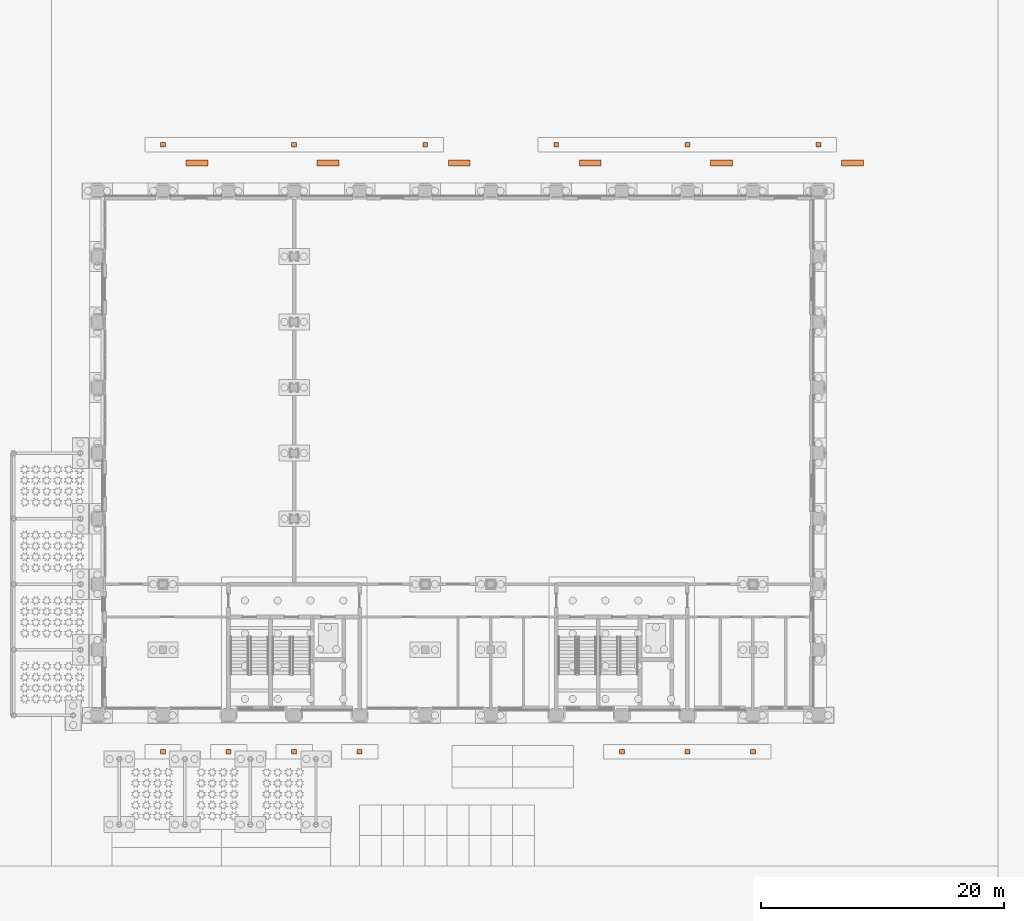
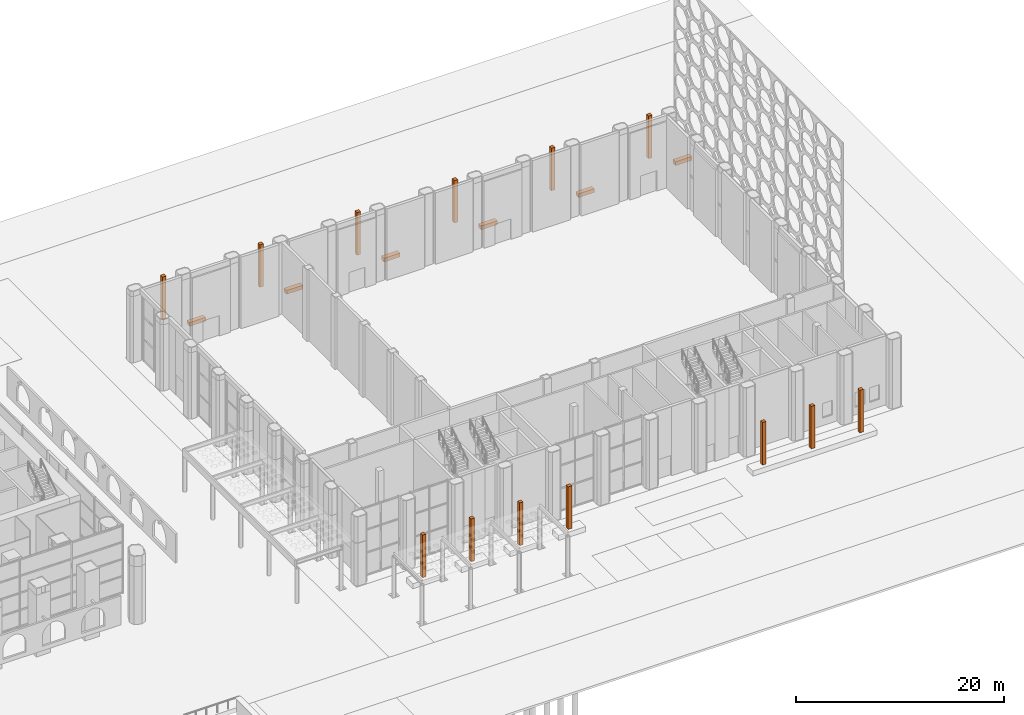
# One storey, part 54 of 54: 19 proxies.
"""IFC4 building model written with IfcOpenShell, lengths in metres."""

import ifcopenshell
import ifcopenshell.guid

model = None  # the IFC model being written
_history = None  # IfcOwnerHistory: only IFC2X3 demands one
_inside = {}  # id of a spatial element -> (the spatial element, [elements in it])
_under = {}  # id of a project, library or spatial element -> (it, [spatial elements below it])
_declared = {}  # id of a project -> (the project, [libraries it declares])
_typed = {}  # id of a type object -> (the type object, [elements of that type])
_made_of = {}  # id of a material, layer set ... -> (it, [elements and type objects made of it])


def new_model(schema):
    """Start an empty IFC model of exactly this schema.

    Asked for "IFC4X3", IfcOpenShell would pick the latest addendum, in which some entities
    have other attributes; the version numbers below select the first issue.
    IFC2X3 requires an IfcOwnerHistory on every rooted entity: one is made here for all.
    """
    global model, _history
    if schema == "IFC4X3":
        model = ifcopenshell.file(schema_version=(4, 3, 0, 0))
    else:
        model = ifcopenshell.file(schema=schema)
    _inside.clear()
    _under.clear()
    _declared.clear()
    _typed.clear()
    _made_of.clear()
    _history = None
    if model.schema == "IFC2X3":
        org = make("IfcOrganization", Name="unknown")
        user = make(
            "IfcPersonAndOrganization",
            ThePerson=make("IfcPerson", FamilyName="unknown"),
            TheOrganization=org,
        )
        app = make(
            "IfcApplication",
            ApplicationDeveloper=org,
            Version="unknown",
            ApplicationFullName="unknown",
            ApplicationIdentifier="unknown",
        )
        _history = make(
            "IfcOwnerHistory",
            OwningUser=user,
            OwningApplication=app,
            ChangeAction="ADDED",
            CreationDate=0,
        )
    return model


def make(cls, **values):
    """One entity of the class cls with the attributes given. An attribute that is None is left unset."""
    return model.create_entity(
        cls, **{name: value for name, value in values.items() if value is not None}
    )


def rooted(cls, **values):
    """An entity with a GlobalId (a new one), such as an element, a storey or a relation."""
    return make(cls, GlobalId=ifcopenshell.guid.new(), OwnerHistory=_history, **values)


def si_unit(unit_type, name, prefix=None):
    """IfcSIUnit, for example si_unit("LENGTHUNIT", "METRE", prefix="MILLI")."""
    return make("IfcSIUnit", UnitType=unit_type, Prefix=prefix, Name=name)


def assignment(units):
    """IfcUnitAssignment: the units of a project."""
    return None if units is None else make("IfcUnitAssignment", Units=units)


def point(xyz):
    """IfcCartesianPoint."""
    return None if xyz is None else make("IfcCartesianPoint", Coordinates=xyz)


def direction(xyz):
    """IfcDirection."""
    return None if xyz is None else make("IfcDirection", DirectionRatios=xyz)


def frame(location, z_axis=None, x_axis=None):
    """IfcAxis2Placement3D, a coordinate frame: its origin and axes. An axis left out is left unset."""
    return make(
        "IfcAxis2Placement3D",
        Location=point(location),
        Axis=direction(z_axis),
        RefDirection=direction(x_axis),
    )


def frame_2d(location, x_axis=None):
    """IfcAxis2Placement2D, a coordinate frame in the plane: its origin and x axis."""
    return make(
        "IfcAxis2Placement2D", Location=point(location), RefDirection=direction(x_axis)
    )


def origin():
    """The frame at (0, 0, 0) with its axes left unset."""
    return frame((0.0, 0.0, 0.0))


def origin_2d():
    """The frame at (0, 0) in the plane with its x axis left unset."""
    return frame_2d((0.0, 0.0))


def place(relative_to, where):
    """IfcLocalPlacement: puts the frame where relative to a parent placement (None: the world)."""
    return make(
        "IfcLocalPlacement", PlacementRelTo=relative_to, RelativePlacement=where
    )


def context(
    kind, dimensions, precision=None, world=None, true_north=None, identifier=None
):
    """IfcGeometricRepresentationContext, for example the 3D "Model" context."""
    return make(
        "IfcGeometricRepresentationContext",
        ContextIdentifier=identifier,
        ContextType=kind,
        CoordinateSpaceDimension=dimensions,
        Precision=precision,
        WorldCoordinateSystem=world,
        TrueNorth=true_north,
    )


def subcontext(parent, identifier, kind, view, scale=None):
    """IfcGeometricRepresentationSubContext, for example "Body" below "Model"."""
    return make(
        "IfcGeometricRepresentationSubContext",
        ContextIdentifier=identifier,
        ContextType=kind,
        ParentContext=parent,
        TargetScale=scale,
        TargetView=view,
    )


def project(units=None, contexts=None):
    """IfcProject with its units and contexts."""
    return rooted(
        "IfcProject",
        Name="project",
        RepresentationContexts=contexts,
        UnitsInContext=assignment(units),
    )


def spatial(cls, under=None, at=None, **own):
    """A site, building, storey or space (cls), placed at a placement, below another one or the project."""
    s = rooted(cls, ObjectPlacement=at, **own)
    if under is not None:
        _under.setdefault(under.id(), (under, []))[1].append(s)
    return s


def profile(cls, at=None, kind="AREA", **sizes):
    """A parametric profile (cls). Its sizes go by their IFC names, for example OverallWidth=200.0."""
    return make(cls, ProfileType=kind, Position=at, **sizes)


def rectangle(**sizes):
    """IfcRectangleProfileDef."""
    return profile("IfcRectangleProfileDef", **sizes)


def extrude(swept, where, along, depth):
    """IfcExtrudedAreaSolid: the profile swept, set in the frame where, extruded along a direction by depth."""
    return make(
        "IfcExtrudedAreaSolid",
        SweptArea=swept,
        Position=where,
        ExtrudedDirection=direction(along),
        Depth=depth,
    )


def shape(context_of_items, identifier, shape_type, items):
    """IfcShapeRepresentation: the items that make up one representation, for example the "Body"."""
    return make(
        "IfcShapeRepresentation",
        ContextOfItems=context_of_items,
        RepresentationIdentifier=identifier,
        RepresentationType=shape_type,
        Items=items,
    )


def made_of(thing, what):
    """Note that an element or type object is made of a material, layer set ...; save() writes the relation."""
    if what is not None:
        _made_of.setdefault(what.id(), (what, []))[1].append(thing)
    return thing


def element(
    cls,
    number,
    at=None,
    inside=None,
    cuts=None,
    type_object=None,
    material=None,
    context=None,
    identifier="Body",
    shape_type=None,
    held_by="IfcProductDefinitionShape",
    body=None,
    shapes=None,
    **own,
):
    """One element of the class cls, such as IfcWall. Its Tag is "e" and its number.

    at: its placement. inside: the storey or other place that contains it. cuts: it is an
    opening in that element (IfcRelVoidsElement). A single representation is given by context,
    identifier, shape_type and body (its items); several are given by shapes. held_by: the class
    of the entity that holds the representations. save() writes the other relations.
    """
    e = rooted(cls, Tag="e%d" % number, ObjectPlacement=at, **own)
    if body is not None:
        shapes = [shape(context, identifier, shape_type, body)]
    if shapes is not None:
        e.Representation = make(held_by, Representations=shapes)
    if inside is not None:
        _inside.setdefault(inside.id(), (inside, []))[1].append(e)
    if cuts is not None:
        rooted(
            "IfcRelVoidsElement", RelatingBuildingElement=cuts, RelatedOpeningElement=e
        )
    if type_object is not None:
        _typed.setdefault(type_object.id(), (type_object, []))[1].append(e)
    return made_of(e, material)


def aggregate(whole, parts):
    """IfcRelAggregates: a whole, such as a stair, and the parts it consists of."""
    return rooted("IfcRelAggregates", RelatingObject=whole, RelatedObjects=parts)


def save(model, path):
    """Write the relations noted so far, then the file.

    IfcRelAggregates (storeys below a building ...), IfcRelContainedInSpatialStructure (elements
    in a storey), IfcRelDefinesByType, IfcRelAssociatesMaterial and IfcRelDeclares: one each for
    every whole, place, type object, material and project.
    """
    for whole, parts in _under.values():
        aggregate(whole, parts)
    for where, things in _inside.values():
        rooted(
            "IfcRelContainedInSpatialStructure",
            RelatedElements=things,
            RelatingStructure=where,
        )
    for kind, things in _typed.values():
        rooted("IfcRelDefinesByType", RelatedObjects=things, RelatingType=kind)
    for what, things in _made_of.values():
        rooted("IfcRelAssociatesMaterial", RelatedObjects=things, RelatingMaterial=what)
    for by, libraries in _declared.values():
        rooted("IfcRelDeclares", RelatingContext=by, RelatedDefinitions=libraries)
    model.write(path)


model = new_model("IFC4")

# Units and contexts
model_context = context("Model", 3, precision=1e-05, world=origin(), true_north=direction((0.0, 1.0)))
body_context = subcontext(model_context, "Body", "Model", "MODEL_VIEW")
ifc_project = project(units=[si_unit("LENGTHUNIT", "METRE"), si_unit("AREAUNIT", "SQUARE_METRE"), si_unit("VOLUMEUNIT", "CUBIC_METRE"), si_unit("PLANEANGLEUNIT", "RADIAN"), si_unit("MASSUNIT", "GRAM", prefix="KILO")], contexts=[model_context])

# Site, building, storey
site_placement = place(None, origin())
site = spatial("IfcSite", under=ifc_project, at=site_placement, CompositionType="ELEMENT")
building_placement = place(site_placement, origin())
building = spatial("IfcBuilding", under=site, at=building_placement, Name="Tabaq Tower and Sports Hall", CompositionType="ELEMENT")
storey_placement = place(building_placement, origin())
storey = spatial("IfcBuildingStorey", under=building, at=storey_placement, Name="L00", CompositionType="ELEMENT", Elevation=0.0)

# Proxies
for number, where, z_axis, x_axis, name in (
    (1, (70.199951171875, -3.0, 0.60009765625), (0.0, 0.0, 1.0), (1.0, 0.0, 0.0), "Date palm 01"),
    (2, (75.60009765625, -3.0, 0.60009765625), (0.0, 0.0, 1.0), (1.0, 0.0, 0.0), "Date palm 02"),
    (3, (81.0, -3.0, 0.60009765625), (0.0, 0.0, 1.0), (1.0, 0.0, 0.0), "Date palm 03"),
    (4, (86.39990234375, -3.0, 0.60009765625), (0.0, 0.0, 1.0), (1.0, 0.0, 0.0), "Date palm 04"),
    (5, (108.0, -3.0, 0.60009765625), (0.0, 0.0, 1.0), (1.0, 0.0, 0.0), "Date palm 05"),
    (6, (113.39990234375, -3.0, 0.60009765625), (0.0, 0.0, 1.0), (1.0, 0.0, 0.0), "Date palm 06"),
    (7, (118.800048828125, -3.0, 0.60009765625), (0.0, 0.0, 1.0), (1.0, 0.0, 0.0), "Date palm 07"),
    (8, (70.199951171875, 47.0, 0.60009765625), (0.0, 0.0, 1.0), (1.0, 0.0, 0.0), "Date palm 08"),
    (9, (81.0, 47.0, 0.60009765625), (0.0, 0.0, 1.0), (1.0, 0.0, 0.0), "Date palm 09"),
    (10, (91.800048828125, 47.0, 0.60009765625), (0.0, 0.0, 1.0), (1.0, 0.0, 0.0), "Date palm 10"),
    (11, (102.60009765625, 47.0, 0.60009765625), (0.0, 0.0, 1.0), (1.0, 0.0, 0.0), "Date palm 11"),
    (12, (113.39990234375, 47.0, 0.60009765625), (0.0, 0.0, 1.0), (1.0, 0.0, 0.0), "Date palm 12"),
    (13, (124.199951171875, 47.0, 0.60009765625), (0.0, 0.0, 1.0), (1.0, 0.0, 0.0), "Date palm 13"),
):
    element("IfcBuildingElementProxy", number, at=place(storey_placement, frame(where, z_axis=z_axis, x_axis=x_axis)), inside=storey, Name=name, PredefinedType="NOTDEFINED", context=body_context, shape_type="SweptSolid", body=[
        extrude(rectangle(XDim=0.39990234375, YDim=0.39990234375, at=origin_2d()), origin(), (0.0, 0.0, 1.0), 5.0),
    ])
for number, where, z_axis, x_axis, name in (
    (14, (73.0, 45.5, 0.0), (0.0, 0.0, 1.0), (1.0, 0.0, 0.0), "Bench 01"),
    (15, (83.800048828125, 45.5, 0.0), (0.0, 0.0, 1.0), (1.0, 0.0, 0.0), "Bench 02"),
    (16, (94.60009765625, 45.5, 0.0), (0.0, 0.0, 1.0), (1.0, 0.0, 0.0), "Bench 03"),
    (17, (105.39990234375, 45.5, 0.0), (0.0, 0.0, 1.0), (1.0, 0.0, 0.0), "Bench 04"),
    (18, (116.199951171875, 45.5, 0.0), (0.0, 0.0, 1.0), (1.0, 0.0, 0.0), "Bench 05"),
    (19, (127.0, 45.5, 0.0), (0.0, 0.0, 1.0), (1.0, 0.0, 0.0), "Bench 06"),
):
    element("IfcBuildingElementProxy", number, at=place(storey_placement, frame(where, z_axis=z_axis, x_axis=x_axis)), inside=storey, Name=name, PredefinedType="NOTDEFINED", context=body_context, shape_type="SweptSolid", body=[
        extrude(rectangle(XDim=1.800048828125, YDim=0.5, at=origin_2d()), origin(), (0.0, 0.0, 1.0), 0.449951171875),
    ])

save(model, "model.ifc")
